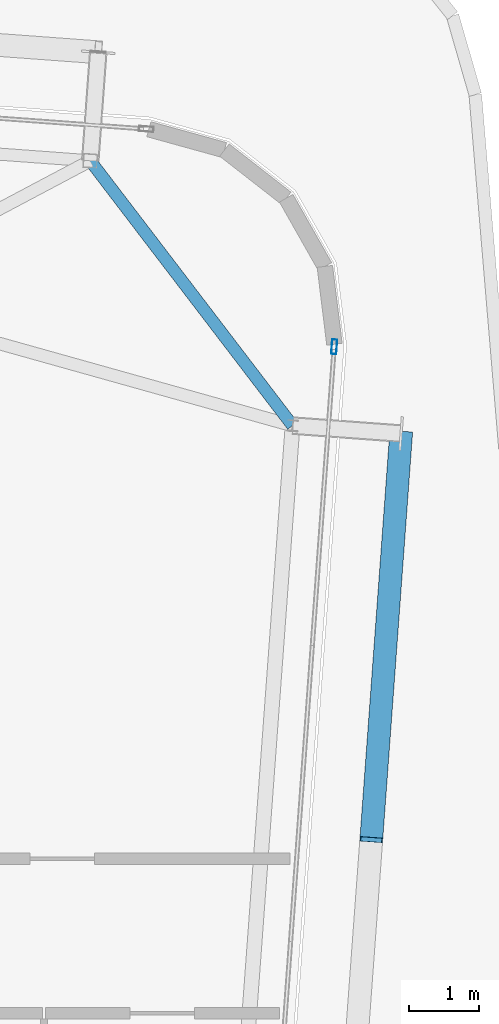
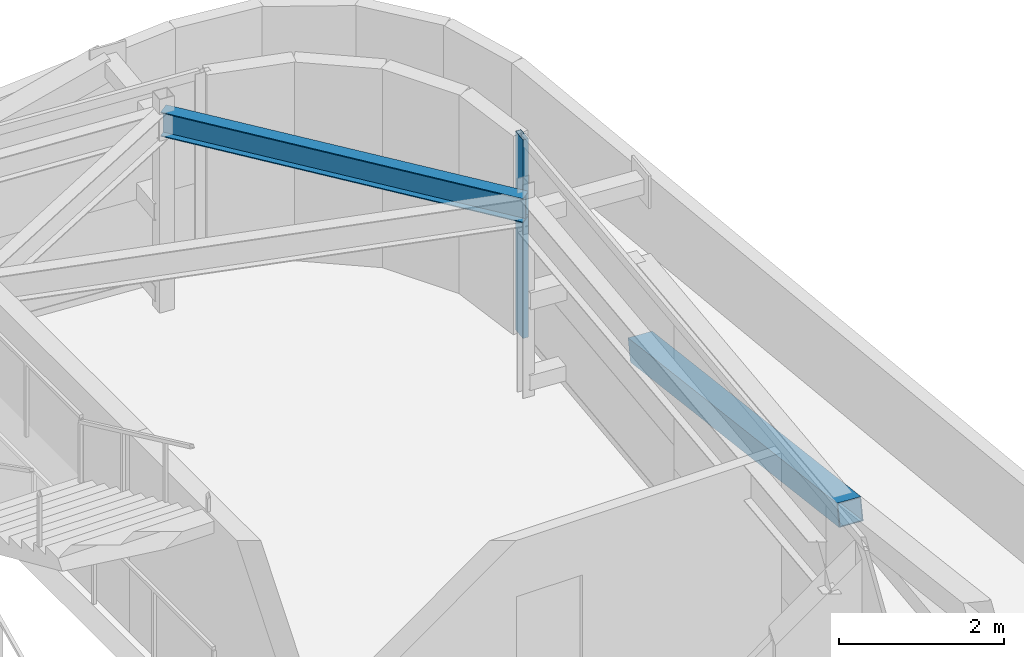
# One storey, part 20 of 37: 2 members, 1 beam, 1 element without a shape of its own.
"""IFC4 building model written with IfcOpenShell, lengths in metres."""

from ifc_helpers import new_model, si_unit, direction, frame, origin, origin_2d, place, context, subcontext, project, spatial, hollow_rectangle, i_section, extrude, source, transform, mapped, material, layer, layer_set, material_profile, profile_set, type_object, element, aggregate, save


model = new_model("IFC4")

# Units and contexts
model_context = context("Model", 3, precision=1e-05, world=origin(), true_north=direction((0.0, 1.0)))
body_context = subcontext(model_context, "Body", "Model", "MODEL_VIEW")
ifc_project = project(units=[si_unit("LENGTHUNIT", "METRE"), si_unit("AREAUNIT", "SQUARE_METRE"), si_unit("VOLUMEUNIT", "CUBIC_METRE"), si_unit("PLANEANGLEUNIT", "RADIAN"), si_unit("MASSUNIT", "GRAM", prefix="KILO")], contexts=[model_context])

# Site, building, storey
site_placement = place(None, origin())
site = spatial("IfcSite", under=ifc_project, at=site_placement, CompositionType="ELEMENT")
building_placement = place(site_placement, origin())
building = spatial("IfcBuilding", under=site, at=building_placement, Name="Taldren Reach Tower", CompositionType="ELEMENT")
storey_placement = place(building_placement, frame((0.0, 0.0, 211.39990234375)))
storey = spatial("IfcBuildingStorey", under=building, at=storey_placement, Name="L64", CompositionType="ELEMENT", Elevation=211.39990234375)

# Beam
ifc_material_1 = material(Name="Steel Gr 350 (350PLUS)", Category="steel")
ifc_material_profile_1 = material_profile(ifc_material_1, i_section(OverallWidth=0.172119140625, OverallDepth=0.35888671875, WebThickness=0.008056640625, FlangeThickness=0.012939453125, at=origin_2d()), Name="360UB56.7")
ifc_profile_set_1 = profile_set([ifc_material_profile_1], Name="Steel Gr 350 (350PLUS)")
beam_type = type_object("IfcBeamType", Name="SP-UB360", PredefinedType="SPANDREL", material=ifc_profile_set_1)
shared_shape_1 = source(origin(), body_context, "Body", "SweptSolid", [
    extrude(i_section(OverallWidth=0.172119140625, OverallDepth=0.35888671875, WebThickness=0.008056640625, FlangeThickness=0.012939453125, at=origin_2d()), origin(), (0.0, 0.0, 1.0), 4.745849609375),
])
beam_placement = place(storey_placement, frame((57.540771484375, 30.168701171875, 2.75048828125), z_axis=(-0.607136906115, 0.79459724215, 0.0), x_axis=(-0.79459724215, -0.607136906115, 0.0)))
element("IfcBeam", 1, at=beam_placement, inside=storey, type_object=beam_type, Name="Perimeter spandrel B5 E3-N6 L64", PredefinedType="SPANDREL", context=body_context, shape_type="MappedRepresentation", body=[
    mapped(shared_shape_1, transform((0.0, 0.0, 0.0), scale=1.0)),
])

# Member
ifc_material_2 = material(Name="Steel Gr 450 (C450L0)", Category="steel")
ifc_material_profile_2 = material_profile(ifc_material_2, hollow_rectangle(XDim=0.324951171875, YDim=0.324951171875, WallThickness=0.0126953125, at=origin_2d()), Name="325x325x12.7SHS")
ifc_profile_set_2 = profile_set([ifc_material_profile_2], Name="Steel Gr 450 (C450L0)")
member_type_1 = type_object("IfcMemberType", Name="MB-BR324", PredefinedType="BRACE", material=ifc_profile_set_2)
shared_shape_2 = source(origin(), body_context, "Body", "SweptSolid", [
    extrude(hollow_rectangle(XDim=0.324951171875, YDim=0.324951171875, WallThickness=0.0126953125, at=origin_2d()), origin(), (0.0, 0.0, 1.0), 5.92578125),
])
member_1_placement = place(storey_placement, frame((59.086669921875, 30.05517578125, 0.22021484375), z_axis=(-0.071686540919, -0.976131732187, 0.205007027365), x_axis=(0.997314185625, -0.073242167855, 0.0)))
element("IfcMember", 2, at=member_1_placement, inside=storey, type_object=member_type_1, Name="Exoskeleton Diagrid Brace B5-E2 L64", PredefinedType="BRACE", context=body_context, shape_type="MappedRepresentation", body=[
    mapped(shared_shape_2, transform((0.0, 0.0, 0.0), scale=1.0)),
])

# Curtain wall, member
ifc_material_3 = material(Name="Aluminium and Low-E Glass Unitised System", Category="aluminium")
ifc_layer = layer(ifc_material_3, 0.159912109375)
ifc_layer_set = layer_set([ifc_layer], Name="Aluminium and Low-E Glass Unitised System")
curtain_wall_type = type_object("IfcCurtainWallType", Name="CW-SYS-6", PredefinedType="NOTDEFINED", material=ifc_layer_set)
curtain_wall_placement = place(storey_placement, origin())
curtain_wall = element("IfcCurtainWall", 3, at=curtain_wall_placement, inside=storey, type_object=curtain_wall_type, Name="Unitised curtain wall CW-L64-E", PredefinedType="NOTDEFINED")
ifc_material_4 = material(Name="Anodised Aluminium 6063-T6", Category="aluminium")
ifc_material_profile_3 = material_profile(ifc_material_4, hollow_rectangle(XDim=0.074951171875, YDim=0.2099609375, WallThickness=0.00439453125, at=origin_2d()), Name="ALU-210x75x4.5RHS")
ifc_profile_set_3 = profile_set([ifc_material_profile_3], Name="Anodised Aluminium 6063-T6")
member_type_2 = type_object("IfcMemberType", Name="CW-MUL-200", PredefinedType="MULLION", material=ifc_profile_set_3)
shared_shape_3 = source(origin(), body_context, "Body", "SweptSolid", [
    extrude(hollow_rectangle(XDim=0.074951171875, YDim=0.2099609375, WallThickness=0.00439453125, at=origin_2d()), origin(), (0.0, 0.0, 1.0), 2.93017578125),
])
member_2_placement = place(storey_placement, frame((58.134765625, 31.29052734375, 0.0), z_axis=(0.0, 0.0, 1.0), x_axis=(-0.997314470951, 0.073238282558, 0.0)))
member_2 = element("IfcMember", 4, at=member_2_placement, type_object=member_type_2, Name="CW-6 mullion 3", PredefinedType="MULLION", context=body_context, shape_type="MappedRepresentation", body=[
    mapped(shared_shape_3, transform((0.0, 0.0, 0.0), scale=1.0)),
])
aggregate(curtain_wall, [member_2])

save(model, "model.ifc")
